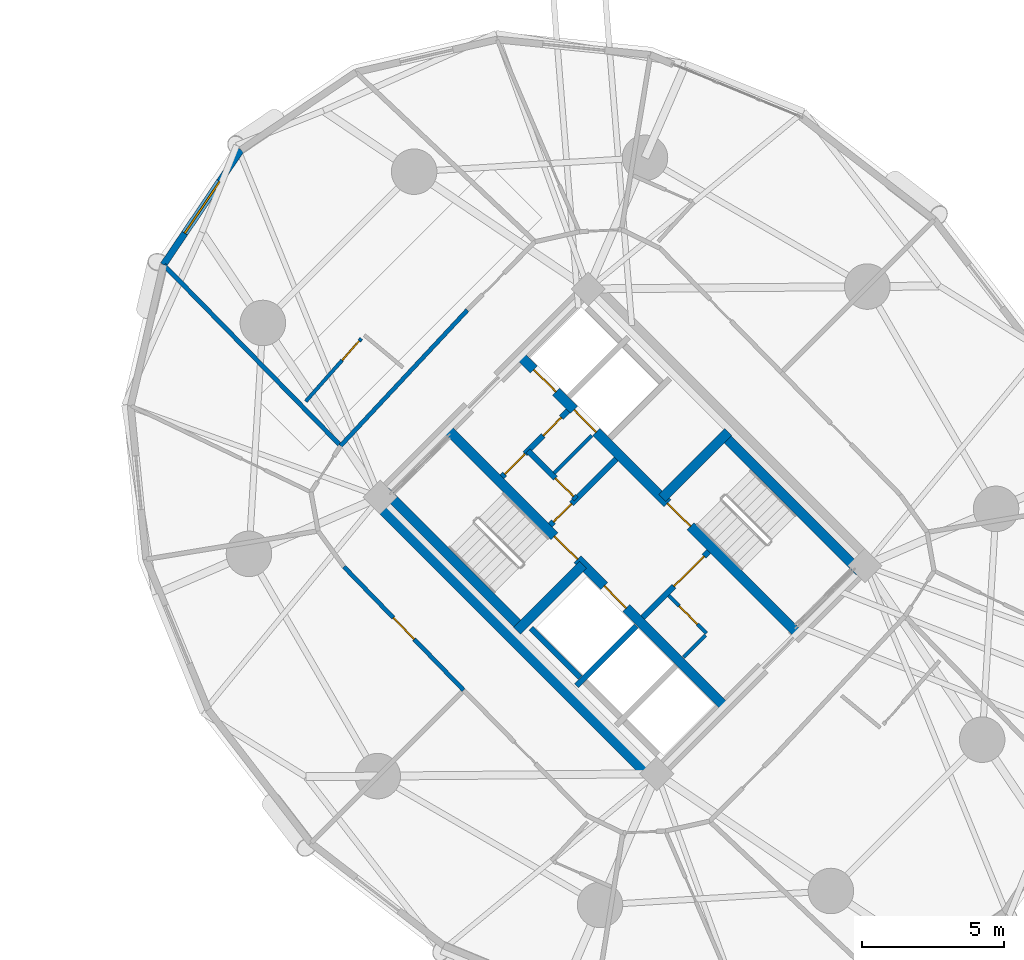
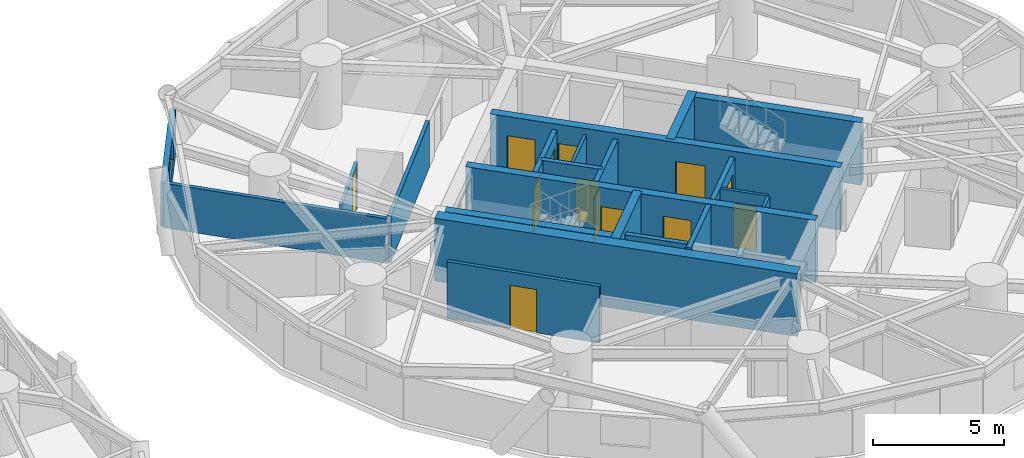
# One storey, part 13 of 18: 21 walls, 13 doors, 1 window, 14 openings.
"""IFC4 building model written with IfcOpenShell, lengths in metres."""

from ifc_helpers import new_model, si_unit, direction, frame, frame_2d, origin, place, context, subcontext, project, spatial, rectangle, extrude, source, transform, mapped, material, layer, layer_set, type_object, element, fill, save


model = new_model("IFC4")

# Units and contexts
model_context = context("Model", 3, precision=1e-05, world=origin(), true_north=direction((0.0, 1.0)))
body_context = subcontext(model_context, "Body", "Model", "MODEL_VIEW")
ifc_project = project(units=[si_unit("LENGTHUNIT", "METRE"), si_unit("AREAUNIT", "SQUARE_METRE"), si_unit("VOLUMEUNIT", "CUBIC_METRE"), si_unit("PLANEANGLEUNIT", "RADIAN"), si_unit("MASSUNIT", "GRAM", prefix="KILO")], contexts=[model_context])

# Site, building, storey
site_placement = place(None, origin())
site = spatial("IfcSite", under=ifc_project, at=site_placement, CompositionType="ELEMENT")
building_placement = place(site_placement, origin())
building = spatial("IfcBuilding", under=site, at=building_placement, Name="Cununo Teusaquillo Station Towers", CompositionType="ELEMENT")
storey_placement = place(building_placement, frame((0.0, 0.0, 36.550048828125)))
storey = spatial("IfcBuildingStorey", under=building, at=storey_placement, Name="L10", CompositionType="ELEMENT", Elevation=36.550048828125)

# Walls
ifc_material_1 = material(Name="Concrete C50/60", Category="concrete")
ifc_layer_1 = layer(ifc_material_1, 0.199951171875)
ifc_layer_set_1 = layer_set([ifc_layer_1], Name="Concrete C50/60")
wall_type_1 = type_object("IfcWallType", Name="WL-CORE-200", PredefinedType="SHEAR", material=ifc_layer_set_1)
wall_1_placement = place(storey_placement, frame((55.8876953125, 19.0693359375, 0.0), z_axis=(0.0, 0.0, 1.0), x_axis=(0.707106781187, 0.707106781187, 0.0)))
element("IfcWall", 1, at=wall_1_placement, inside=storey, type_object=wall_type_1, Name="L10 Tower B Firefighting Lift Shaft South Shear Wall", PredefinedType="SHEAR", context=body_context, shape_type="SweptSolid", body=[
    extrude(rectangle(XDim=2.969970703125, YDim=0.199951171875, at=frame_2d((1.48486328125, 0.0))), origin(), (0.0, 0.0, 1.0), 2.909912109375),
])
wall_2_placement = place(storey_placement, frame((56.01513671875, 19.366455078125, 0.0), z_axis=(0.0, 0.0, 1.0), x_axis=(-0.707106781187, 0.707106781187, 0.0)))
element("IfcWall", 2, at=wall_2_placement, inside=storey, type_object=wall_type_1, Name="L10 Tower B Firefighting Lift Shaft Rear Shear Wall", PredefinedType="SHEAR", context=body_context, shape_type="SweptSolid", body=[
    extrude(rectangle(XDim=2.43994140625, YDim=0.199951171875, at=frame_2d((1.219970703125, 0.0))), origin(), (0.0, 0.0, 1.0), 2.909912109375),
])

# Wall, openings, doors
ifc_material_2 = material(Name="Concrete C50/60", Category="concrete")
ifc_layer_2 = layer(ifc_material_2, 0.35009765625)
ifc_layer_set_2 = layer_set([ifc_layer_2], Name="Concrete C50/60")
wall_type_2 = type_object("IfcWallType", Name="WL-CORE-350", PredefinedType="SHEAR", material=ifc_layer_set_2)
wall_3_placement = place(storey_placement, frame((61.095703125, 18.337646484375, 0.0), z_axis=(0.0, 0.0, 1.0), x_axis=(-0.707106781187, 0.707106781187, 0.0)))
wall_3 = element("IfcWall", 3, at=wall_3_placement, inside=storey, type_object=wall_type_2, Name="L10 Tower B Core Shear Wall IW", PredefinedType="SHEAR", context=body_context, shape_type="SweptSolid", body=[
    extrude(rectangle(XDim=13.800048828125, YDim=0.35009765625, at=frame_2d((6.89990234375, 0.0))), origin(), (0.0, 0.0, 1.0), 2.909912109375),
])
shared_shape_1 = source(origin(), body_context, "Body", "SweptSolid", [
    extrude(rectangle(XDim=1.10009765625, YDim=2.014892578125, at=frame_2d((0.550048828125, 1.00732421875))), frame((0.0, 0.18505859375, 0.0), z_axis=(0.0, -1.0, 0.0), x_axis=(1.0, 0.0, 0.0)), (0.0, 0.0, 1.0), 0.3701171875),
])
opening_1_placement = place(wall_3_placement, frame((4.89990234375, 0.0, 0.0)))
opening_1 = element("IfcOpeningElement", 4, at=opening_1_placement, cuts=wall_3, Name="Opening LD-01", PredefinedType="OPENING", context=body_context, shape_type="MappedRepresentation", body=[
    mapped(shared_shape_1, transform((0.0, 0.0, 0.0), x_axis=(1.0, 0.0, 0.0), y_axis=(0.0, 1.0, 0.0), z_axis=(0.0, 0.0, 1.0), scale=1.0)),
])
shared_shape_2 = source(origin(), body_context, "Body", "SweptSolid", [
    extrude(rectangle(XDim=1.14990234375, YDim=2.02001953125, at=frame_2d((0.574951171875, 1.010009765625))), frame((0.0, 0.18505859375, 0.0), z_axis=(0.0, -1.0, 0.0), x_axis=(1.0, 0.0, 0.0)), (0.0, 0.0, 1.0), 0.3701171875),
])
opening_2_placement = place(wall_3_placement, frame((7.320068359375, 0.0, 0.0)))
opening_2 = element("IfcOpeningElement", 5, at=opening_2_placement, cuts=wall_3, Name="Opening D-ST1", PredefinedType="OPENING", context=body_context, shape_type="MappedRepresentation", body=[
    mapped(shared_shape_2, transform((0.0, 0.0, 0.0), x_axis=(1.0, 0.0, 0.0), y_axis=(0.0, 1.0, 0.0), z_axis=(0.0, 0.0, 1.0), scale=1.0)),
])
ifc_material_3 = material(Name="Galvanised fire-rated hollow steel door assembly", Category="steel")
door_type_1 = type_object("IfcDoorType", Name="DR-LIFT-1100", OperationType="SLIDING_TO_LEFT", PredefinedType="DOOR", material=ifc_material_3)
shared_shape_3 = source(origin(), body_context, "Body", "SweptSolid", [
    extrude(rectangle(XDim=1.10009765625, YDim=2.014892578125, at=frame_2d((0.550048828125, 1.00732421875))), frame((0.0, 0.02490234375, 0.0), z_axis=(0.0, -1.0, 0.0), x_axis=(1.0, 0.0, 0.0)), (0.0, 0.0, 1.0), 0.050048828125),
])
door_1_placement = place(opening_1_placement, origin())
door_1 = element("IfcDoor", 6, at=door_1_placement, inside=storey, type_object=door_type_1, Name="L10 Lift FL-T2 Sliding Landing Door", OperationType="SLIDING_TO_RIGHT", OverallHeight=2.014892578125, OverallWidth=1.10009765625, PredefinedType="DOOR", context=body_context, shape_type="MappedRepresentation", body=[
    mapped(shared_shape_3, transform((0.0, 0.0, 0.0), x_axis=(1.0, 0.0, 0.0), y_axis=(0.0, 1.0, 0.0), z_axis=(0.0, 0.0, 1.0), scale=1.0)),
])
fill(opening_1, door_1)
ifc_material_4 = material(Name="Galvanised fire-rated hollow steel door assembly", Category="steel")
door_type_2 = type_object("IfcDoorType", Name="DR-STAIR-1150", OperationType="NOTDEFINED", PredefinedType="DOOR", material=ifc_material_4)
shared_shape_4 = source(origin(), body_context, "Body", "SweptSolid", [
    extrude(rectangle(XDim=1.14990234375, YDim=2.02001953125, at=frame_2d((0.574951171875, 1.010009765625))), frame((0.0, 0.02490234375, 0.0), z_axis=(0.0, -1.0, 0.0), x_axis=(1.0, 0.0, 0.0)), (0.0, 0.0, 1.0), 0.050048828125),
])
door_2_placement = place(opening_2_placement, origin())
door_2 = element("IfcDoor", 7, at=door_2_placement, inside=storey, type_object=door_type_2, Name="L10 Tower B Exit Stair 1 Fire Door", OperationType="SINGLE_SWING_LEFT", OverallHeight=2.02001953125, OverallWidth=1.14990234375, PredefinedType="DOOR", context=body_context, shape_type="MappedRepresentation", body=[
    mapped(shared_shape_4, transform((0.0, 0.0, 0.0), x_axis=(1.0, 0.0, 0.0), y_axis=(0.0, 1.0, 0.0), z_axis=(0.0, 0.0, 1.0), scale=1.0)),
])
fill(opening_2, door_2)

wall_4_placement = place(storey_placement, frame((63.662353515625, 20.904296875, 0.0), z_axis=(0.0, 0.0, 1.0), x_axis=(-0.707106781187, 0.707106781187, 0.0)))
wall_4 = element("IfcWall", 8, at=wall_4_placement, inside=storey, type_object=wall_type_2, Name="L10 Tower B Core Shear Wall IE", PredefinedType="SHEAR", context=body_context, shape_type="SweptSolid", body=[
    extrude(rectangle(XDim=13.800048828125, YDim=0.35009765625, at=frame_2d((6.89990234375, 0.0))), origin(), (0.0, 0.0, 1.0), 2.909912109375),
])
opening_3_placement = place(wall_4_placement, frame((10.02490234375, 0.0, 0.0)))
opening_3 = element("IfcOpeningElement", 9, at=opening_3_placement, cuts=wall_4, Name="Opening LD-01", PredefinedType="OPENING", context=body_context, shape_type="MappedRepresentation", body=[
    mapped(shared_shape_1, transform((0.0, 0.0, 0.0), x_axis=(1.0, 0.0, 0.0), y_axis=(0.0, 1.0, 0.0), z_axis=(0.0, 0.0, 1.0), scale=1.0)),
])
opening_4_placement = place(wall_4_placement, frame((12.02490234375, 0.0, 0.0)))
opening_4 = element("IfcOpeningElement", 10, at=opening_4_placement, cuts=wall_4, Name="Opening LD-01", PredefinedType="OPENING", context=body_context, shape_type="MappedRepresentation", body=[
    mapped(shared_shape_1, transform((0.0, 0.0, 0.0), x_axis=(1.0, 0.0, 0.0), y_axis=(0.0, 1.0, 0.0), z_axis=(0.0, 0.0, 1.0), scale=1.0)),
])
opening_5_placement = place(wall_4_placement, frame((5.330078125, 0.0, 0.0)))
opening_5 = element("IfcOpeningElement", 11, at=opening_5_placement, cuts=wall_4, Name="Opening D-ST1", PredefinedType="OPENING", context=body_context, shape_type="MappedRepresentation", body=[
    mapped(shared_shape_2, transform((0.0, 0.0, 0.0), x_axis=(1.0, 0.0, 0.0), y_axis=(0.0, 1.0, 0.0), z_axis=(0.0, 0.0, 1.0), scale=1.0)),
])
door_3_placement = place(opening_3_placement, origin())
door_3 = element("IfcDoor", 12, at=door_3_placement, inside=storey, type_object=door_type_1, Name="L10 Lift PL-T2-L1 Sliding Landing Door", OperationType="SLIDING_TO_LEFT", OverallHeight=2.014892578125, OverallWidth=1.10009765625, PredefinedType="DOOR", context=body_context, shape_type="MappedRepresentation", body=[
    mapped(shared_shape_3, transform((0.0, 0.0, 0.0), x_axis=(1.0, 0.0, 0.0), y_axis=(0.0, 1.0, 0.0), z_axis=(0.0, 0.0, 1.0), scale=1.0)),
])
fill(opening_3, door_3)
door_4_placement = place(opening_4_placement, origin())
door_4 = element("IfcDoor", 13, at=door_4_placement, inside=storey, type_object=door_type_1, Name="L10 Lift PL-T2-L2 Sliding Landing Door", OperationType="SLIDING_TO_RIGHT", OverallHeight=2.014892578125, OverallWidth=1.10009765625, PredefinedType="DOOR", context=body_context, shape_type="MappedRepresentation", body=[
    mapped(shared_shape_3, transform((0.0, 0.0, 0.0), x_axis=(1.0, 0.0, 0.0), y_axis=(0.0, 1.0, 0.0), z_axis=(0.0, 0.0, 1.0), scale=1.0)),
])
fill(opening_4, door_4)
door_5_placement = place(opening_5_placement, origin())
door_5 = element("IfcDoor", 14, at=door_5_placement, inside=storey, type_object=door_type_2, Name="L10 Tower B Exit Stair 2 Fire Door", OperationType="SINGLE_SWING_RIGHT", OverallHeight=2.02001953125, OverallWidth=1.14990234375, PredefinedType="DOOR", context=body_context, shape_type="MappedRepresentation", body=[
    mapped(shared_shape_4, transform((0.0, 0.0, 0.0), x_axis=(1.0, 0.0, 0.0), y_axis=(0.0, 1.0, 0.0), z_axis=(0.0, 0.0, 1.0), scale=1.0)),
])
fill(opening_5, door_5)

# Walls
wall_5_placement = place(storey_placement, frame((53.922119140625, 21.14111328125, 0.0), z_axis=(0.0, 0.0, 1.0), x_axis=(-0.707106781187, 0.707106781187, 0.0)))
element("IfcWall", 15, at=wall_5_placement, inside=storey, type_object=wall_type_2, Name="L10 Tower B Core Shear Wall ST1W", PredefinedType="SHEAR", context=body_context, shape_type="SweptSolid", body=[
    extrude(rectangle(XDim=6.7451171875, YDim=0.35009765625, at=frame_2d((3.37255859375, 0.0))), origin(), (0.0, 0.0, 1.0), 2.909912109375),
])
wall_6_placement = place(storey_placement, frame((53.7841796875, 21.00341796875, 0.0), z_axis=(0.0, 0.0, 1.0), x_axis=(0.707106781187, 0.707106781187, 0.0)))
element("IfcWall", 16, at=wall_6_placement, inside=storey, type_object=wall_type_2, Name="L10 Tower B Core Shear Wall ST1S", PredefinedType="SHEAR", context=body_context, shape_type="SweptSolid", body=[
    extrude(rectangle(XDim=3.284912109375, YDim=0.35009765625, at=frame_2d((1.642578125, 0.0))), origin(), (0.0, 0.0, 1.0), 2.909912109375),
])
wall_7_placement = place(storey_placement, frame((65.847412109375, 23.08935546875, 0.0), z_axis=(0.0, 0.0, 1.0), x_axis=(-0.707106781187, 0.707106781187, 0.0)))
element("IfcWall", 17, at=wall_7_placement, inside=storey, type_object=wall_type_2, Name="L10 Tower B Core Shear Wall ST2E", PredefinedType="SHEAR", context=body_context, shape_type="SweptSolid", body=[
    extrude(rectangle(XDim=6.7451171875, YDim=0.35009765625, at=frame_2d((3.37255859375, 0.0))), origin(), (0.0, 0.0, 1.0), 2.909912109375),
])
wall_8_placement = place(storey_placement, frame((58.89306640625, 25.673828125, 0.0), z_axis=(0.0, 0.0, 1.0), x_axis=(0.707106781187, 0.707106781187, 0.0)))
element("IfcWall", 18, at=wall_8_placement, inside=storey, type_object=wall_type_2, Name="L10 Tower B Core Shear Wall ST2N", PredefinedType="SHEAR", context=body_context, shape_type="SweptSolid", body=[
    extrude(rectangle(XDim=3.284912109375, YDim=0.35009765625, at=frame_2d((1.642578125, 0.0))), origin(), (0.0, 0.0, 1.0), 2.909912109375),
])
ifc_material_5 = material(Name="Concrete C60/75", Category="concrete")
ifc_layer_3 = layer(ifc_material_5, 0.5)
ifc_layer_set_3 = layer_set([ifc_layer_3], Name="Concrete C60/75")
wall_type_3 = type_object("IfcWallType", Name="WL-CORE-500", PredefinedType="SHEAR", material=ifc_layer_set_3)
wall_9_placement = place(storey_placement, frame((58.772705078125, 15.6611328125, 0.0), z_axis=(0.0, 0.0, 1.0), x_axis=(-0.707106781187, 0.707106781187, 0.0)))
element("IfcWall", 19, at=wall_9_placement, inside=storey, type_object=wall_type_3, Name="L10 Tower B Core Shear Wall W", PredefinedType="SHEAR", context=body_context, shape_type="SweptSolid", body=[
    extrude(rectangle(XDim=14.2998046875, YDim=0.5, at=frame_2d((7.14990234375, 0.0))), origin(), (0.0, 0.0, 1.0), 2.909912109375),
])

# Wall, opening, window
ifc_material_6 = material(Name="Precast concrete C40/50", Category="concrete")
ifc_layer_4 = layer(ifc_material_6, 0.239990234375)
ifc_layer_set_4 = layer_set([ifc_layer_4], Name="Precast concrete C40/50")
wall_type_4 = type_object("IfcWallType", Name="WL-EXT-240", PredefinedType="SOLIDWALL", material=ifc_layer_set_4)
wall_10_placement = place(storey_placement, frame((41.35595703125, 33.87060546875, 0.0), z_axis=(0.0, 0.0, 1.0), x_axis=(0.559621532896, 0.828748297084, 0.0)))
wall_10 = element("IfcWall", 20, at=wall_10_placement, inside=storey, type_object=wall_type_4, Name="L10 Tower B Exterior Facade Wall C05", PredefinedType="SOLIDWALL", context=body_context, shape_type="SweptSolid", body=[
    extrude(rectangle(XDim=4.878662109375, YDim=0.239990234375, at=frame_2d((2.439453125, 0.0))), origin(), (0.0, 0.0, 1.0), 2.072998046875),
])
shared_shape_5 = source(origin(), body_context, "Body", "SweptSolid", [
    extrude(rectangle(XDim=2.199951171875, YDim=1.35009765625, at=frame_2d((1.10009765625, 0.675048828125))), frame((0.0, 0.1298828125, 0.0), z_axis=(0.0, -1.0, 0.0), x_axis=(1.0, 0.0, 0.0)), (0.0, 0.0, 1.0), 0.260009765625),
])
opening_6_placement = place(wall_10_placement, frame((1.339111328125, 0.0, 0.64990234375)))
opening_6 = element("IfcOpeningElement", 21, at=opening_6_placement, cuts=wall_10, Name="Opening WN-01", PredefinedType="OPENING", context=body_context, shape_type="MappedRepresentation", body=[
    mapped(shared_shape_5, transform((0.0, 0.0, 0.0), x_axis=(1.0, 0.0, 0.0), y_axis=(0.0, 1.0, 0.0), z_axis=(0.0, 0.0, 1.0), scale=1.0)),
])
ifc_material_7 = material(Name="Ceramic-fritted dark low-E double glazing", Category="glass")
window_type = type_object("IfcWindowType", Name="WIN-FRIT-2200", PartitioningType="DOUBLE_PANEL_VERTICAL", PredefinedType="WINDOW", material=ifc_material_7)
shared_shape_6 = source(origin(), body_context, "Body", "SweptSolid", [
    extrude(rectangle(XDim=2.199951171875, YDim=1.35009765625, at=frame_2d((1.10009765625, 0.675048828125))), frame((0.0, 0.030029296875, 0.0), z_axis=(0.0, -1.0, 0.0), x_axis=(1.0, 0.0, 0.0)), (0.0, 0.0, 1.0), 0.06005859375),
])
window_placement = place(opening_6_placement, origin())
window = element("IfcWindow", 22, at=window_placement, inside=storey, type_object=window_type, Name="L10 Tower B Facade Window C05", OverallHeight=1.35009765625, OverallWidth=2.199951171875, PartitioningType="DOUBLE_PANEL_VERTICAL", PredefinedType="WINDOW", context=body_context, shape_type="MappedRepresentation", body=[
    mapped(shared_shape_6, transform((0.0, 0.0, 0.0), x_axis=(1.0, 0.0, 0.0), y_axis=(0.0, 1.0, 0.0), z_axis=(0.0, 0.0, 1.0), scale=1.0)),
])
fill(opening_6, window)

# Wall, opening, door
ifc_material_8 = material(Name="Fire-rated gypsum plasterboard partition assembly", Category="gypsum")
ifc_layer_5 = layer(ifc_material_8, 0.125)
ifc_layer_set_5 = layer_set([ifc_layer_5], Name="Fire-rated gypsum plasterboard partition assembly")
wall_type_5 = type_object("IfcWallType", Name="WL-PART-125", PredefinedType="PARTITIONING", material=ifc_layer_set_5)
wall_11_placement = place(storey_placement, frame((60.448486328125, 20.9150390625, 0.0), z_axis=(0.0, 0.0, 1.0), x_axis=(-0.707106781187, 0.707106781187, 0.0)))
wall_11 = element("IfcWall", 23, at=wall_11_placement, inside=storey, type_object=wall_type_5, Name="L10 Tower B North-West Lobby Store East Wall", PredefinedType="PARTITIONING", context=body_context, shape_type="SweptSolid", body=[
    extrude(rectangle(XDim=1.869873046875, YDim=0.125, at=frame_2d((0.93505859375, 0.0))), origin(), (0.0, 0.0, 1.0), 2.635009765625),
])
shared_shape_7 = source(origin(), body_context, "Body", "SweptSolid", [
    extrude(rectangle(XDim=0.89990234375, YDim=2.0048828125, at=frame_2d((0.449951171875, 1.00244140625))), frame((0.0, 0.072509765625, 0.0), z_axis=(0.0, -1.0, 0.0), x_axis=(1.0, 0.0, 0.0)), (0.0, 0.0, 1.0), 0.14501953125),
])
opening_7_placement = place(wall_11_placement, frame((0.449951171875, 0.0, 0.0)))
opening_7 = element("IfcOpeningElement", 24, at=opening_7_placement, cuts=wall_11, Name="Opening D-SR1", PredefinedType="OPENING", context=body_context, shape_type="MappedRepresentation", body=[
    mapped(shared_shape_7, transform((0.0, 0.0, 0.0), x_axis=(1.0, 0.0, 0.0), y_axis=(0.0, 1.0, 0.0), z_axis=(0.0, 0.0, 1.0), scale=1.0)),
])
ifc_material_9 = material(Name="Galvanised fire-rated hollow steel door assembly", Category="steel")
door_type_3 = type_object("IfcDoorType", Name="DR-STORE-900", OperationType="NOTDEFINED", PredefinedType="DOOR", material=ifc_material_9)
shared_shape_8 = source(origin(), body_context, "Body", "SweptSolid", [
    extrude(rectangle(XDim=0.89990234375, YDim=2.0048828125, at=frame_2d((0.449951171875, 1.00244140625))), frame((0.0, 0.02490234375, 0.0), z_axis=(0.0, -1.0, 0.0), x_axis=(1.0, 0.0, 0.0)), (0.0, 0.0, 1.0), 0.050048828125),
])
door_6_placement = place(opening_7_placement, origin())
door_6 = element("IfcDoor", 25, at=door_6_placement, inside=storey, type_object=door_type_3, Name="L10 Tower B South Lobby Data Store Door", OperationType="SINGLE_SWING_LEFT", OverallHeight=2.0048828125, OverallWidth=0.89990234375, PredefinedType="DOOR", context=body_context, shape_type="MappedRepresentation", body=[
    mapped(shared_shape_8, transform((0.0, 0.0, 0.0), x_axis=(1.0, 0.0, 0.0), y_axis=(0.0, 1.0, 0.0), z_axis=(0.0, 0.0, 1.0), scale=1.0)),
])
fill(opening_7, door_6)

# Walls
wall_12_placement = place(storey_placement, frame((59.642578125, 20.06640625, 0.0), z_axis=(0.0, 0.0, 1.0), x_axis=(0.707106781187, 0.707106781187, 0.0)))
element("IfcWall", 26, at=wall_12_placement, inside=storey, type_object=wall_type_5, Name="L10 Tower B North-West Lobby Store South Wall", PredefinedType="PARTITIONING", context=body_context, shape_type="SweptSolid", body=[
    extrude(rectangle(XDim=1.10009765625, YDim=0.125, at=frame_2d((0.550048828125, 0.0))), origin(), (0.0, 0.0, 1.0), 2.635009765625),
])
wall_13_placement = place(storey_placement, frame((55.0888671875, 26.54345703125, 0.0), z_axis=(0.0, 0.0, 1.0), x_axis=(0.707106781187, 0.707106781187, 0.0)))
element("IfcWall", 27, at=wall_13_placement, inside=storey, type_object=wall_type_5, Name="L10 Tower B Core Horizontal Split Wall", PredefinedType="PARTITIONING", context=body_context, shape_type="SweptSolid", body=[
    extrude(rectangle(XDim=1.8798828125, YDim=0.125, at=frame_2d((0.93994140625, 0.0))), origin(), (0.0, 0.0, 1.0), 2.635009765625),
])

# Wall, opening, door
wall_14_placement = place(storey_placement, frame((48.318359375, 31.2822265625, 0.0), z_axis=(0.0, 0.0, 1.0), x_axis=(-0.662365127428, -0.749181178333, 0.0)))
wall_14 = element("IfcWall", 28, at=wall_14_placement, inside=storey, type_object=wall_type_5, Name="L10 Tower B S02 En-suite Back Wall", PredefinedType="PARTITIONING", context=body_context, shape_type="SweptSolid", body=[
    extrude(rectangle(XDim=2.952880859375, YDim=0.125, at=frame_2d((1.4765625, 0.0))), origin(), (0.0, 0.0, 1.0), 2.158935546875),
])
opening_8_placement = place(wall_14_placement, frame((0.1201171875, 0.0, 0.0)))
opening_8 = element("IfcOpeningElement", 29, at=opening_8_placement, cuts=wall_14, Name="Opening D-IN1", PredefinedType="OPENING", context=body_context, shape_type="MappedRepresentation", body=[
    mapped(shared_shape_7, transform((0.0, 0.0, 0.0), x_axis=(1.0, 0.0, 0.0), y_axis=(0.0, 1.0, 0.0), z_axis=(0.0, 0.0, 1.0), scale=1.0)),
])
ifc_material_10 = material(Name="Acoustic solid-core hardwood leaf assembly", Category="wood")
door_type_4 = type_object("IfcDoorType", Name="DR-INT-900", OperationType="NOTDEFINED", PredefinedType="DOOR", material=ifc_material_10)
door_7_placement = place(opening_8_placement, origin())
door_7 = element("IfcDoor", 30, at=door_7_placement, inside=storey, type_object=door_type_4, Name="L10 Tower B S02 En-suite Bathroom Door", OperationType="SINGLE_SWING_LEFT", OverallHeight=2.0048828125, OverallWidth=0.89990234375, PredefinedType="DOOR", context=body_context, shape_type="MappedRepresentation", body=[
    mapped(shared_shape_8, transform((0.0, 0.0, 0.0), x_axis=(1.0, 0.0, 0.0), y_axis=(0.0, 1.0, 0.0), z_axis=(0.0, 0.0, 1.0), scale=1.0)),
])
fill(opening_8, door_7)

# Wall
ifc_material_11 = material(Name="Fire-rated gypsum plasterboard partition assembly", Category="gypsum")
ifc_layer_6 = layer(ifc_material_11, 0.14990234375)
ifc_layer_set_6 = layer_set([ifc_layer_6], Name="Fire-rated gypsum plasterboard partition assembly")
wall_type_6 = type_object("IfcWallType", Name="WL-PART-150", PredefinedType="PARTITIONING", material=ifc_layer_set_6)
wall_15_placement = place(storey_placement, frame((52.04345703125, 32.27978515625, 0.0), z_axis=(0.0, 0.0, 1.0), x_axis=(-0.682606081633, -0.730786519661, 0.0)))
element("IfcWall", 31, at=wall_15_placement, inside=storey, type_object=wall_type_6, Name="L10 Tower B Corridor Ring Wall C05", PredefinedType="PARTITIONING", context=body_context, shape_type="SweptSolid", body=[
    extrude(rectangle(XDim=6.526611328125, YDim=0.14990234375, at=frame_2d((3.26318359375, 0.0))), origin(), (0.0, 0.0, 1.0), 2.158935546875),
])

# Wall, opening, door
wall_16_placement = place(storey_placement, frame((47.70556640625, 23.253173828125, 0.0), z_axis=(0.0, 0.0, 1.0), x_axis=(0.696179266346, -0.717867974707, 0.0)))
wall_16 = element("IfcWall", 32, at=wall_16_placement, inside=storey, type_object=wall_type_6, Name="L10 Tower B Corridor Ring Wall C09", PredefinedType="PARTITIONING", context=body_context, shape_type="SweptSolid", body=[
    extrude(rectangle(XDim=6.044677734375, YDim=0.14990234375, at=frame_2d((3.0224609375, 0.0))), origin(), (0.0, 0.0, 1.0), 2.635009765625),
])
shared_shape_9 = source(origin(), body_context, "Body", "SweptSolid", [
    extrude(rectangle(XDim=1.050048828125, YDim=2.014892578125, at=frame_2d((0.52490234375, 1.00732421875))), frame((0.0, 0.0849609375, 0.0), z_axis=(0.0, -1.0, 0.0), x_axis=(1.0, 0.0, 0.0)), (0.0, 0.0, 1.0), 0.169921875),
])
opening_9_placement = place(wall_16_placement, frame((2.497314453125, 0.0, 0.0)))
opening_9 = element("IfcOpeningElement", 33, at=opening_9_placement, cuts=wall_16, Name="Opening D-SU1", PredefinedType="OPENING", context=body_context, shape_type="MappedRepresentation", body=[
    mapped(shared_shape_9, transform((0.0, 0.0, 0.0), x_axis=(1.0, 0.0, 0.0), y_axis=(0.0, 1.0, 0.0), z_axis=(0.0, 0.0, 1.0), scale=1.0)),
])
ifc_material_12 = material(Name="Acoustic solid-core hardwood leaf assembly", Category="wood")
door_type_5 = type_object("IfcDoorType", Name="DR-SUITE-1050", OperationType="NOTDEFINED", PredefinedType="DOOR", material=ifc_material_12)
shared_shape_10 = source(origin(), body_context, "Body", "SweptSolid", [
    extrude(rectangle(XDim=1.050048828125, YDim=2.014892578125, at=frame_2d((0.52490234375, 1.00732421875))), frame((0.0, 0.02490234375, 0.0), z_axis=(0.0, -1.0, 0.0), x_axis=(1.0, 0.0, 0.0)), (0.0, 0.0, 1.0), 0.050048828125),
])
door_8_placement = place(opening_9_placement, origin())
door_8 = element("IfcDoor", 34, at=door_8_placement, inside=storey, type_object=door_type_5, Name="L10 Tower B Hotel Wellness & Fitness Salon Entrance Door", OperationType="SINGLE_SWING_RIGHT", OverallHeight=2.014892578125, OverallWidth=1.050048828125, PredefinedType="DOOR", context=body_context, shape_type="MappedRepresentation", body=[
    mapped(shared_shape_10, transform((0.0, 0.0, 0.0), x_axis=(1.0, 0.0, 0.0), y_axis=(0.0, 1.0, 0.0), z_axis=(0.0, 0.0, 1.0), scale=1.0)),
])
fill(opening_9, door_8)

# Wall
ifc_material_13 = material(Name="Fire-rated gypsum plasterboard partition assembly", Category="gypsum")
ifc_layer_7 = layer(ifc_material_13, 0.159912109375)
ifc_layer_set_7 = layer_set([ifc_layer_7], Name="Fire-rated gypsum plasterboard partition assembly")
wall_type_7 = type_object("IfcWallType", Name="WL-PART-160", PredefinedType="PARTITIONING", material=ifc_layer_set_7)
wall_17_placement = place(storey_placement, frame((47.58837890625, 27.51025390625, 0.0), z_axis=(0.0, 0.0, 1.0), x_axis=(-0.699371977892, 0.714757886657, 0.0)))
element("IfcWall", 35, at=wall_17_placement, inside=storey, type_object=wall_type_7, Name="L10 Tower B Radial Suite Partition R04", PredefinedType="PARTITIONING", context=body_context, shape_type="SweptSolid", body=[
    extrude(rectangle(XDim=8.885986328125, YDim=0.159912109375, at=frame_2d((4.44287109375, 0.0))), origin(), (0.0, 0.0, 1.0), 2.072998046875),
])

# Wall, opening, door
ifc_material_14 = material(Name="Fire-rated gypsum plasterboard partition assembly", Category="gypsum")
ifc_layer_8 = layer(ifc_material_14, 0.199951171875)
ifc_layer_set_8 = layer_set([ifc_layer_8], Name="Fire-rated gypsum plasterboard partition assembly")
wall_type_8 = type_object("IfcWallType", Name="WL-PART-200", PredefinedType="PARTITIONING", material=ifc_layer_set_8)
wall_18_placement = place(storey_placement, frame((58.214111328125, 21.466552734375, 0.0), z_axis=(0.0, 0.0, 1.0), x_axis=(0.707106781187, 0.707106781187, 0.0)))
wall_18 = element("IfcWall", 36, at=wall_18_placement, inside=storey, type_object=wall_type_8, Name="L10 Tower B Firefighting Lift Lobby South Fire Wall", PredefinedType="PARTITIONING", context=body_context, shape_type="SweptSolid", body=[
    extrude(rectangle(XDim=3.280029296875, YDim=0.199951171875, at=frame_2d((1.64013671875, 0.0))), origin(), (0.0, 0.0, 1.0), 2.635009765625),
])
shared_shape_11 = source(origin(), body_context, "Body", "SweptSolid", [
    extrude(rectangle(XDim=1.5, YDim=2.02001953125, at=frame_2d((0.75, 1.010009765625))), frame((0.0, 0.10986328125, 0.0), z_axis=(0.0, -1.0, 0.0), x_axis=(1.0, 0.0, 0.0)), (0.0, 0.0, 1.0), 0.219970703125),
])
opening_10_placement = place(wall_18_placement, frame((1.550048828125, 0.0, 0.0)))
opening_10 = element("IfcOpeningElement", 37, at=opening_10_placement, cuts=wall_18, Name="Opening D-LB1", PredefinedType="OPENING", context=body_context, shape_type="MappedRepresentation", body=[
    mapped(shared_shape_11, transform((0.0, 0.0, 0.0), x_axis=(1.0, 0.0, 0.0), y_axis=(0.0, 1.0, 0.0), z_axis=(0.0, 0.0, 1.0), scale=1.0)),
])
ifc_material_15 = material(Name="Galvanised fire-rated hollow steel door assembly", Category="steel")
door_type_6 = type_object("IfcDoorType", Name="DR-LOBBY-1500", OperationType="DOUBLE_DOOR_SINGLE_SWING", PredefinedType="DOOR", material=ifc_material_15)
shared_shape_12 = source(origin(), body_context, "Body", "SweptSolid", [
    extrude(rectangle(XDim=1.5, YDim=2.02001953125, at=frame_2d((0.75, 1.010009765625))), frame((0.0, 0.02490234375, 0.0), z_axis=(0.0, -1.0, 0.0), x_axis=(1.0, 0.0, 0.0)), (0.0, 0.0, 1.0), 0.050048828125),
])
door_9_placement = place(opening_10_placement, origin())
door_9 = element("IfcDoor", 38, at=door_9_placement, inside=storey, type_object=door_type_6, Name="L10 Tower B Firefighting Lift Lobby South Fire Door", OperationType="DOUBLE_DOOR_SINGLE_SWING", OverallHeight=2.02001953125, OverallWidth=1.5, PredefinedType="DOOR", context=body_context, shape_type="MappedRepresentation", body=[
    mapped(shared_shape_12, transform((0.0, 0.0, 0.0), x_axis=(1.0, 0.0, 0.0), y_axis=(0.0, 1.0, 0.0), z_axis=(0.0, 0.0, 1.0), scale=1.0)),
])
fill(opening_10, door_9)

wall_19_placement = place(storey_placement, frame((54.96142578125, 24.71923828125, 0.0), z_axis=(0.0, 0.0, 1.0), x_axis=(0.707106781187, 0.707106781187, 0.0)))
wall_19 = element("IfcWall", 39, at=wall_19_placement, inside=storey, type_object=wall_type_8, Name="L10 Tower B Firefighting Lift Lobby North Fire Wall", PredefinedType="PARTITIONING", context=body_context, shape_type="SweptSolid", body=[
    extrude(rectangle(XDim=3.280029296875, YDim=0.199951171875, at=frame_2d((1.64013671875, 0.0))), origin(), (0.0, 0.0, 1.0), 2.635009765625),
])
shared_shape_13 = source(origin(), body_context, "Body", "SweptSolid", [
    extrude(rectangle(XDim=0.89990234375, YDim=2.0048828125, at=frame_2d((0.449951171875, 1.00244140625))), frame((0.0, 0.10986328125, 0.0), z_axis=(0.0, -1.0, 0.0), x_axis=(1.0, 0.0, 0.0)), (0.0, 0.0, 1.0), 0.219970703125),
])
opening_11_placement = place(wall_19_placement, frame((0.159912109375, 0.0, 0.0)))
opening_11 = element("IfcOpeningElement", 40, at=opening_11_placement, cuts=wall_19, Name="Opening D-SR1", PredefinedType="OPENING", context=body_context, shape_type="MappedRepresentation", body=[
    mapped(shared_shape_13, transform((0.0, 0.0, 0.0), x_axis=(1.0, 0.0, 0.0), y_axis=(0.0, 1.0, 0.0), z_axis=(0.0, 0.0, 1.0), scale=1.0)),
])
door_10_placement = place(opening_11_placement, origin())
door_10 = element("IfcDoor", 41, at=door_10_placement, inside=storey, type_object=door_type_3, Name="L10 Tower B Stair 1 Protected Vestibule South Door", OperationType="SINGLE_SWING_LEFT", OverallHeight=2.0048828125, OverallWidth=0.89990234375, PredefinedType="DOOR", context=body_context, shape_type="MappedRepresentation", body=[
    mapped(shared_shape_8, transform((0.0, 0.0, 0.0), x_axis=(1.0, 0.0, 0.0), y_axis=(0.0, 1.0, 0.0), z_axis=(0.0, 0.0, 1.0), scale=1.0)),
])
fill(opening_11, door_10)

wall_20_placement = place(storey_placement, frame((55.873779296875, 25.63134765625, 0.0), z_axis=(0.0, 0.0, 1.0), x_axis=(-0.707157639372, 0.707055919343, 0.0)))
wall_20 = element("IfcWall", 42, at=wall_20_placement, inside=storey, type_object=wall_type_8, Name="L10 Tower B Stair 1 Vestibule Partition Wall", PredefinedType="PARTITIONING", context=body_context, shape_type="SweptSolid", body=[
    extrude(rectangle(XDim=2.400146484375, YDim=0.199951171875, at=frame_2d((1.2001953125, 0.0))), origin(), (0.0, 0.0, 1.0), 2.635009765625),
])
opening_12_placement = place(wall_20_placement, frame((0.139892578125, 0.0, 0.0)))
opening_12 = element("IfcOpeningElement", 43, at=opening_12_placement, cuts=wall_20, Name="Opening D-SR1", PredefinedType="OPENING", context=body_context, shape_type="MappedRepresentation", body=[
    mapped(shared_shape_13, transform((0.0, 0.0, 0.0), x_axis=(1.0, 0.0, 0.0), y_axis=(0.0, 1.0, 0.0), z_axis=(0.0, 0.0, 1.0), scale=1.0)),
])
door_11_placement = place(opening_12_placement, origin())
door_11 = element("IfcDoor", 44, at=door_11_placement, inside=storey, type_object=door_type_3, Name="L10 Tower B Core Linen Store Door", OperationType="SINGLE_SWING_RIGHT", OverallHeight=2.0048828125, OverallWidth=0.89990234375, PredefinedType="DOOR", context=body_context, shape_type="MappedRepresentation", body=[
    mapped(shared_shape_8, transform((0.0, 0.0, 0.0), x_axis=(1.0, 0.0, 0.0), y_axis=(0.0, 1.0, 0.0), z_axis=(0.0, 0.0, 1.0), scale=1.0)),
])
fill(opening_12, door_11)

# Wall, openings, doors
wall_21_placement = place(storey_placement, frame((53.264404296875, 26.416259765625, 0.0), z_axis=(0.0, 0.0, 1.0), x_axis=(0.707106781187, 0.707106781187, 0.0)))
wall_21 = element("IfcWall", 45, at=wall_21_placement, inside=storey, type_object=wall_type_8, Name="L10 Tower B North Lift Lobby South Fire Wall", PredefinedType="PARTITIONING", context=body_context, shape_type="SweptSolid", body=[
    extrude(rectangle(XDim=3.280029296875, YDim=0.199951171875, at=frame_2d((1.64013671875, 0.0))), origin(), (0.0, 0.0, 1.0), 2.635009765625),
])
shared_shape_14 = source(origin(), body_context, "Body", "SweptSolid", [
    extrude(rectangle(XDim=1.0, YDim=2.014892578125, at=frame_2d((0.5, 1.00732421875))), frame((0.0, 0.10986328125, 0.0), z_axis=(0.0, -1.0, 0.0), x_axis=(1.0, 0.0, 0.0)), (0.0, 0.0, 1.0), 0.219970703125),
])
opening_13_placement = place(wall_21_placement, frame((0.139892578125, 0.0, 0.0)))
opening_13 = element("IfcOpeningElement", 46, at=opening_13_placement, cuts=wall_21, Name="Opening D-AC1", PredefinedType="OPENING", context=body_context, shape_type="MappedRepresentation", body=[
    mapped(shared_shape_14, transform((0.0, 0.0, 0.0), x_axis=(1.0, 0.0, 0.0), y_axis=(0.0, 1.0, 0.0), z_axis=(0.0, 0.0, 1.0), scale=1.0)),
])
opening_14_placement = place(wall_21_placement, frame((2.050048828125, 0.0, 0.0)))
opening_14 = element("IfcOpeningElement", 47, at=opening_14_placement, cuts=wall_21, Name="Opening D-SR1", PredefinedType="OPENING", context=body_context, shape_type="MappedRepresentation", body=[
    mapped(shared_shape_13, transform((0.0, 0.0, 0.0), x_axis=(1.0, 0.0, 0.0), y_axis=(0.0, 1.0, 0.0), z_axis=(0.0, 0.0, 1.0), scale=1.0)),
])
door_12_placement = place(opening_14_placement, origin())
door_12 = element("IfcDoor", 48, at=door_12_placement, inside=storey, type_object=door_type_3, Name="L10 Tower B Core Comms Room Door", OperationType="SINGLE_SWING_LEFT", OverallHeight=2.0048828125, OverallWidth=0.89990234375, PredefinedType="DOOR", context=body_context, shape_type="MappedRepresentation", body=[
    mapped(shared_shape_8, transform((0.0, 0.0, 0.0), x_axis=(1.0, 0.0, 0.0), y_axis=(0.0, 1.0, 0.0), z_axis=(0.0, 0.0, 1.0), scale=1.0)),
])
fill(opening_14, door_12)
ifc_material_16 = material(Name="Acoustic solid-core hardwood leaf assembly", Category="wood")
door_type_7 = type_object("IfcDoorType", Name="DR-ACC-1000", OperationType="NOTDEFINED", PredefinedType="DOOR", material=ifc_material_16)
shared_shape_15 = source(origin(), body_context, "Body", "SweptSolid", [
    extrude(rectangle(XDim=1.0, YDim=2.014892578125, at=frame_2d((0.5, 1.00732421875))), frame((0.0, 0.02490234375, 0.0), z_axis=(0.0, -1.0, 0.0), x_axis=(1.0, 0.0, 0.0)), (0.0, 0.0, 1.0), 0.050048828125),
])
door_13_placement = place(opening_13_placement, origin())
door_13 = element("IfcDoor", 49, at=door_13_placement, inside=storey, type_object=door_type_7, Name="L10 Tower B North Lift Lobby to Stair 1 Vestibule Door", OperationType="SINGLE_SWING_RIGHT", OverallHeight=2.014892578125, OverallWidth=1.0, PredefinedType="DOOR", context=body_context, shape_type="MappedRepresentation", body=[
    mapped(shared_shape_15, transform((0.0, 0.0, 0.0), x_axis=(1.0, 0.0, 0.0), y_axis=(0.0, 1.0, 0.0), z_axis=(0.0, 0.0, 1.0), scale=1.0)),
])
fill(opening_13, door_13)

save(model, "model.ifc")
